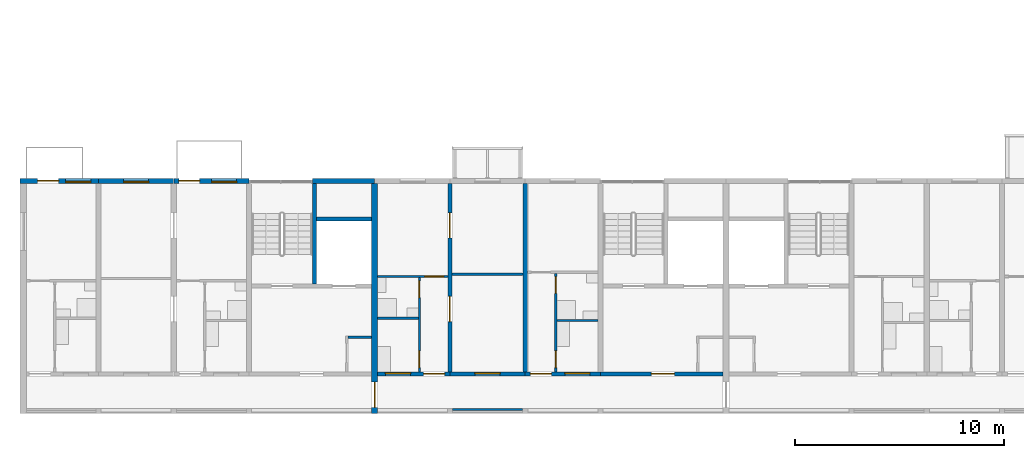
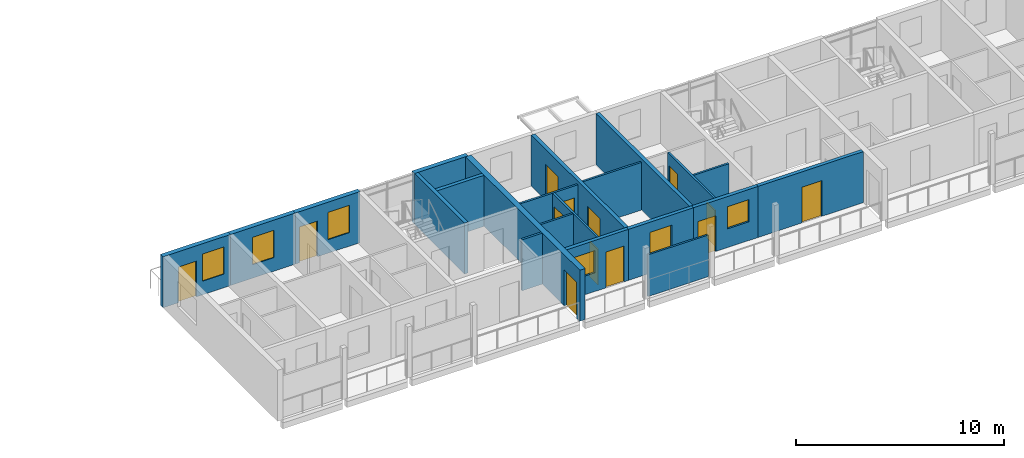
# One storey, part 31 of 98: 21 walls, 13 doors, 6 windows, 19 openings.
"""IFC4 building model written with IfcOpenShell, lengths in metres."""

import ifcopenshell
import ifcopenshell.guid

model = None  # the IFC model being written
_history = None  # IfcOwnerHistory: only IFC2X3 demands one
_inside = {}  # id of a spatial element -> (the spatial element, [elements in it])
_under = {}  # id of a project, library or spatial element -> (it, [spatial elements below it])
_declared = {}  # id of a project -> (the project, [libraries it declares])
_typed = {}  # id of a type object -> (the type object, [elements of that type])
_made_of = {}  # id of a material, layer set ... -> (it, [elements and type objects made of it])


def new_model(schema):
    """Start an empty IFC model of exactly this schema.

    Asked for "IFC4X3", IfcOpenShell would pick the latest addendum, in which some entities
    have other attributes; the version numbers below select the first issue.
    IFC2X3 requires an IfcOwnerHistory on every rooted entity: one is made here for all.
    """
    global model, _history
    if schema == "IFC4X3":
        model = ifcopenshell.file(schema_version=(4, 3, 0, 0))
    else:
        model = ifcopenshell.file(schema=schema)
    _inside.clear()
    _under.clear()
    _declared.clear()
    _typed.clear()
    _made_of.clear()
    _history = None
    if model.schema == "IFC2X3":
        org = make("IfcOrganization", Name="unknown")
        user = make(
            "IfcPersonAndOrganization",
            ThePerson=make("IfcPerson", FamilyName="unknown"),
            TheOrganization=org,
        )
        app = make(
            "IfcApplication",
            ApplicationDeveloper=org,
            Version="unknown",
            ApplicationFullName="unknown",
            ApplicationIdentifier="unknown",
        )
        _history = make(
            "IfcOwnerHistory",
            OwningUser=user,
            OwningApplication=app,
            ChangeAction="ADDED",
            CreationDate=0,
        )
    return model


def make(cls, **values):
    """One entity of the class cls with the attributes given. An attribute that is None is left unset."""
    return model.create_entity(
        cls, **{name: value for name, value in values.items() if value is not None}
    )


def rooted(cls, **values):
    """An entity with a GlobalId (a new one), such as an element, a storey or a relation."""
    return make(cls, GlobalId=ifcopenshell.guid.new(), OwnerHistory=_history, **values)


def si_unit(unit_type, name, prefix=None):
    """IfcSIUnit, for example si_unit("LENGTHUNIT", "METRE", prefix="MILLI")."""
    return make("IfcSIUnit", UnitType=unit_type, Prefix=prefix, Name=name)


def assignment(units):
    """IfcUnitAssignment: the units of a project."""
    return None if units is None else make("IfcUnitAssignment", Units=units)


def point(xyz):
    """IfcCartesianPoint."""
    return None if xyz is None else make("IfcCartesianPoint", Coordinates=xyz)


def direction(xyz):
    """IfcDirection."""
    return None if xyz is None else make("IfcDirection", DirectionRatios=xyz)


def frame(location, z_axis=None, x_axis=None):
    """IfcAxis2Placement3D, a coordinate frame: its origin and axes. An axis left out is left unset."""
    return make(
        "IfcAxis2Placement3D",
        Location=point(location),
        Axis=direction(z_axis),
        RefDirection=direction(x_axis),
    )


def frame_2d(location, x_axis=None):
    """IfcAxis2Placement2D, a coordinate frame in the plane: its origin and x axis."""
    return make(
        "IfcAxis2Placement2D", Location=point(location), RefDirection=direction(x_axis)
    )


def origin():
    """The frame at (0, 0, 0) with its axes left unset."""
    return frame((0.0, 0.0, 0.0))


def place(relative_to, where):
    """IfcLocalPlacement: puts the frame where relative to a parent placement (None: the world)."""
    return make(
        "IfcLocalPlacement", PlacementRelTo=relative_to, RelativePlacement=where
    )


def context(
    kind, dimensions, precision=None, world=None, true_north=None, identifier=None
):
    """IfcGeometricRepresentationContext, for example the 3D "Model" context."""
    return make(
        "IfcGeometricRepresentationContext",
        ContextIdentifier=identifier,
        ContextType=kind,
        CoordinateSpaceDimension=dimensions,
        Precision=precision,
        WorldCoordinateSystem=world,
        TrueNorth=true_north,
    )


def subcontext(parent, identifier, kind, view, scale=None):
    """IfcGeometricRepresentationSubContext, for example "Body" below "Model"."""
    return make(
        "IfcGeometricRepresentationSubContext",
        ContextIdentifier=identifier,
        ContextType=kind,
        ParentContext=parent,
        TargetScale=scale,
        TargetView=view,
    )


def project(units=None, contexts=None):
    """IfcProject with its units and contexts."""
    return rooted(
        "IfcProject",
        Name="project",
        RepresentationContexts=contexts,
        UnitsInContext=assignment(units),
    )


def spatial(cls, under=None, at=None, **own):
    """A site, building, storey or space (cls), placed at a placement, below another one or the project."""
    s = rooted(cls, ObjectPlacement=at, **own)
    if under is not None:
        _under.setdefault(under.id(), (under, []))[1].append(s)
    return s


def profile(cls, at=None, kind="AREA", **sizes):
    """A parametric profile (cls). Its sizes go by their IFC names, for example OverallWidth=200.0."""
    return make(cls, ProfileType=kind, Position=at, **sizes)


def rectangle(**sizes):
    """IfcRectangleProfileDef."""
    return profile("IfcRectangleProfileDef", **sizes)


def extrude(swept, where, along, depth):
    """IfcExtrudedAreaSolid: the profile swept, set in the frame where, extruded along a direction by depth."""
    return make(
        "IfcExtrudedAreaSolid",
        SweptArea=swept,
        Position=where,
        ExtrudedDirection=direction(along),
        Depth=depth,
    )


def shape(context_of_items, identifier, shape_type, items):
    """IfcShapeRepresentation: the items that make up one representation, for example the "Body"."""
    return make(
        "IfcShapeRepresentation",
        ContextOfItems=context_of_items,
        RepresentationIdentifier=identifier,
        RepresentationType=shape_type,
        Items=items,
    )


def material(Name=None, Category=None):
    """IfcMaterial."""
    return make("IfcMaterial", Name=Name, Category=Category)


def layer(
    of_material, thickness, ventilated=None, Name=None, Category=None, Priority=None
):
    """IfcMaterialLayer: one layer of a wall or slab, of a material (None: an air gap)."""
    return make(
        "IfcMaterialLayer",
        Material=of_material,
        LayerThickness=thickness,
        IsVentilated=ventilated,
        Name=Name,
        Category=Category,
        Priority=Priority,
    )


def layer_set(layers, Name=None):
    """IfcMaterialLayerSet."""
    return make("IfcMaterialLayerSet", MaterialLayers=layers, LayerSetName=Name)


def made_of(thing, what):
    """Note that an element or type object is made of a material, layer set ...; save() writes the relation."""
    if what is not None:
        _made_of.setdefault(what.id(), (what, []))[1].append(thing)
    return thing


def type_object(cls, material=None, **own):
    """A type object (cls), such as IfcWallType, which elements share."""
    return made_of(rooted(cls, **own), material)


def element(
    cls,
    number,
    at=None,
    inside=None,
    cuts=None,
    type_object=None,
    material=None,
    context=None,
    identifier="Body",
    shape_type=None,
    held_by="IfcProductDefinitionShape",
    body=None,
    shapes=None,
    **own,
):
    """One element of the class cls, such as IfcWall. Its Tag is "e" and its number.

    at: its placement. inside: the storey or other place that contains it. cuts: it is an
    opening in that element (IfcRelVoidsElement). A single representation is given by context,
    identifier, shape_type and body (its items); several are given by shapes. held_by: the class
    of the entity that holds the representations. save() writes the other relations.
    """
    e = rooted(cls, Tag="e%d" % number, ObjectPlacement=at, **own)
    if body is not None:
        shapes = [shape(context, identifier, shape_type, body)]
    if shapes is not None:
        e.Representation = make(held_by, Representations=shapes)
    if inside is not None:
        _inside.setdefault(inside.id(), (inside, []))[1].append(e)
    if cuts is not None:
        rooted(
            "IfcRelVoidsElement", RelatingBuildingElement=cuts, RelatedOpeningElement=e
        )
    if type_object is not None:
        _typed.setdefault(type_object.id(), (type_object, []))[1].append(e)
    return made_of(e, material)


def fill(opening, filler):
    """IfcRelFillsElement: the door or window that sits in an opening."""
    return rooted(
        "IfcRelFillsElement",
        RelatingOpeningElement=opening,
        RelatedBuildingElement=filler,
    )


def aggregate(whole, parts):
    """IfcRelAggregates: a whole, such as a stair, and the parts it consists of."""
    return rooted("IfcRelAggregates", RelatingObject=whole, RelatedObjects=parts)


def save(model, path):
    """Write the relations noted so far, then the file.

    IfcRelAggregates (storeys below a building ...), IfcRelContainedInSpatialStructure (elements
    in a storey), IfcRelDefinesByType, IfcRelAssociatesMaterial and IfcRelDeclares: one each for
    every whole, place, type object, material and project.
    """
    for whole, parts in _under.values():
        aggregate(whole, parts)
    for where, things in _inside.values():
        rooted(
            "IfcRelContainedInSpatialStructure",
            RelatedElements=things,
            RelatingStructure=where,
        )
    for kind, things in _typed.values():
        rooted("IfcRelDefinesByType", RelatedObjects=things, RelatingType=kind)
    for what, things in _made_of.values():
        rooted("IfcRelAssociatesMaterial", RelatedObjects=things, RelatingMaterial=what)
    for by, libraries in _declared.values():
        rooted("IfcRelDeclares", RelatingContext=by, RelatedDefinitions=libraries)
    model.write(path)


model = new_model("IFC4")

# Units and contexts
model_context = context("Model", 3, precision=1e-05, world=origin(), true_north=direction((0.0, 1.0)))
body_context = subcontext(model_context, "Body", "Model", "MODEL_VIEW")
ifc_project = project(units=[si_unit("LENGTHUNIT", "METRE"), si_unit("AREAUNIT", "SQUARE_METRE"), si_unit("VOLUMEUNIT", "CUBIC_METRE"), si_unit("PLANEANGLEUNIT", "RADIAN"), si_unit("MASSUNIT", "GRAM", prefix="KILO")], contexts=[model_context])

# Site, building, storey
site_placement = place(None, origin())
site = spatial("IfcSite", under=ifc_project, at=site_placement, CompositionType="ELEMENT")
building_placement = place(site_placement, origin())
building = spatial("IfcBuilding", under=site, at=building_placement, Name="Ridgestep Commons", CompositionType="ELEMENT")
storey_placement = place(building_placement, frame((0.0, 0.0, 12.0)))
storey = spatial("IfcBuildingStorey", under=building, at=storey_placement, Name="L04", CompositionType="ELEMENT", Elevation=12.0)

# Wall, opening, door
ifc_material_1 = material(Name="Concrete C30/37", Category="concrete")
ifc_layer_1 = layer(ifc_material_1, 0.199951171875)
ifc_layer_set_1 = layer_set([ifc_layer_1], Name="Core south wall 200")
wall_type_1 = type_object("IfcWallType", Name="Core south wall 200", PredefinedType="SHEAR", material=ifc_layer_set_1)
wall_1_placement = place(storey_placement, frame((39.60009765625, 13.64990234375, 0.0), z_axis=(0.0, 0.0, 1.0), x_axis=(1.0, 0.0, 0.0)))
wall_1 = element("IfcWall", 1, at=wall_1_placement, inside=storey, type_object=wall_type_1, Name="Core south wall A2C L04", PredefinedType="SHEAR", context=body_context, shape_type="SweptSolid", body=[
    extrude(rectangle(XDim=5.849853515625, YDim=0.199951171875, at=frame_2d((2.9248046875, 0.0))), origin(), (0.0, 0.0, 1.0), 3.0),
])
opening_1_placement = place(wall_1_placement, frame((2.4375, 0.0, 0.0)))
opening_1 = element("IfcOpeningElement", 2, at=opening_1_placement, cuts=wall_1, Name="Opening A2C/04/1", PredefinedType="OPENING", context=body_context, shape_type="SweptSolid", body=[
    extrude(rectangle(XDim=1.10009765625, YDim=2.10009765625, at=frame_2d((0.550048828125, 1.050048828125))), frame((0.0, 0.10986328125, 0.0), z_axis=(0.0, -1.0, 0.0), x_axis=(1.0, 0.0, 0.0)), (0.0, 0.0, 1.0), 0.219970703125),
])
ifc_material_2 = material(Name="Steel fire door", Category="steel")
door_type_1 = type_object("IfcDoorType", Name="Lobby door 1100 x 2100 FD60", OperationType="NOTDEFINED", PredefinedType="DOOR", material=ifc_material_2)
door_1_placement = place(opening_1_placement, origin())
door_1 = element("IfcDoor", 3, at=door_1_placement, inside=storey, type_object=door_type_1, Name="Lobby door A2C/04/1", OperationType="SINGLE_SWING_LEFT", OverallHeight=2.10009765625, OverallWidth=1.10009765625, PredefinedType="DOOR", context=body_context, shape_type="SweptSolid", body=[
    extrude(rectangle(XDim=1.10009765625, YDim=2.10009765625, at=frame_2d((0.550048828125, 1.050048828125))), frame((0.0, 0.02490234375, 0.0), z_axis=(0.0, -1.0, 0.0), x_axis=(1.0, 0.0, 0.0)), (0.0, 0.0, 1.0), 0.050048828125),
])
fill(opening_1, door_1)

# Walls
ifc_material_3 = material(Name="Concrete C30/37", Category="concrete")
ifc_layer_2 = layer(ifc_material_3, 0.1201171875)
ifc_layer_set_2 = layer_set([ifc_layer_2], Name="Core wall 120")
wall_type_2 = type_object("IfcWallType", Name="Core wall 120", PredefinedType="SHEAR", material=ifc_layer_set_2)
wall_2_placement = place(storey_placement, frame((27.52001953125, 15.409912109375, 0.0), z_axis=(0.0, 0.0, 1.0), x_axis=(1.0, 0.0, 0.0)))
element("IfcWall", 4, at=wall_2_placement, inside=storey, type_object=wall_type_2, Name="Core riser n wall A1C L04", PredefinedType="SHEAR", context=body_context, shape_type="SweptSolid", body=[
    extrude(rectangle(XDim=1.1298828125, YDim=0.1201171875, at=frame_2d((0.56494140625, 0.0))), origin(), (0.0, 0.0, 1.0), 3.0),
])
ifc_material_4 = material(Name="Concrete C30/37", Category="concrete")
ifc_layer_3 = layer(ifc_material_4, 0.199951171875)
ifc_layer_set_3 = layer_set([ifc_layer_3], Name="Core wall 200")
wall_type_3 = type_object("IfcWallType", Name="Core wall 200", PredefinedType="SHEAR", material=ifc_layer_set_3)
wall_3_placement = place(storey_placement, frame((25.925048828125, 17.949951171875, 0.0), z_axis=(0.0, 0.0, 1.0), x_axis=(0.0, 1.0, 0.0)))
element("IfcWall", 5, at=wall_3_placement, inside=storey, type_object=wall_type_3, Name="Core stair wall A1C L04", PredefinedType="SHEAR", context=body_context, shape_type="SweptSolid", body=[
    extrude(rectangle(XDim=4.800048828125, YDim=0.199951171875, at=frame_2d((2.39990234375, 0.0))), origin(), (0.0, 0.0, 1.0), 3.0),
])
wall_4_placement = place(storey_placement, frame((26.02490234375, 21.050048828125, 0.0), z_axis=(0.0, 0.0, 1.0), x_axis=(1.0, 0.0, 0.0)))
element("IfcWall", 6, at=wall_4_placement, inside=storey, type_object=wall_type_3, Name="Core duct wall A1C L04", PredefinedType="SHEAR", context=body_context, shape_type="SweptSolid", body=[
    extrude(rectangle(XDim=2.625, YDim=0.199951171875, at=frame_2d((1.3125, 0.0))), origin(), (0.0, 0.0, 1.0), 3.0),
])

# Wall, openings, doors
ifc_material_5 = material(Name="Precast concrete C40/50", Category="concrete")
ifc_layer_4 = layer(ifc_material_5, 0.199951171875)
ifc_layer_set_4 = layer_set([ifc_layer_4], Name="Cross wall 200")
wall_type_4 = type_object("IfcWallType", Name="Cross wall 200", PredefinedType="SHEAR", material=ifc_layer_set_4)
wall_5_placement = place(storey_placement, frame((32.39990234375, 13.75, 0.0), z_axis=(0.0, 0.0, 1.0), x_axis=(0.0, 1.0, 0.0)))
wall_5 = element("IfcWall", 7, at=wall_5_placement, inside=storey, type_object=wall_type_4, Name="Cross wall A-04-0324", PredefinedType="SHEAR", context=body_context, shape_type="SweptSolid", body=[
    extrude(rectangle(XDim=9.0, YDim=0.199951171875, at=frame_2d((4.5, 0.0))), origin(), (0.0, 0.0, 1.0), 3.0),
])
opening_2_placement = place(wall_5_placement, frame((2.39990234375, 0.0, 0.0)))
opening_2 = element("IfcOpeningElement", 8, at=opening_2_placement, cuts=wall_5, Name="Opening A2-04a/5", PredefinedType="OPENING", context=body_context, shape_type="SweptSolid", body=[
    extrude(rectangle(XDim=1.199951171875, YDim=2.10009765625, at=frame_2d((0.60009765625, 1.050048828125))), frame((0.0, 0.10986328125, 0.0), z_axis=(0.0, -1.0, 0.0), x_axis=(1.0, 0.0, 0.0)), (0.0, 0.0, 1.0), 0.219970703125),
])
opening_3_placement = place(wall_5_placement, frame((6.39990234375, 0.0, 0.0)))
opening_3 = element("IfcOpeningElement", 9, at=opening_3_placement, cuts=wall_5, Name="Opening A2-04a/6", PredefinedType="OPENING", context=body_context, shape_type="SweptSolid", body=[
    extrude(rectangle(XDim=1.199951171875, YDim=2.10009765625, at=frame_2d((0.60009765625, 1.050048828125))), frame((0.0, 0.10986328125, 0.0), z_axis=(0.0, -1.0, 0.0), x_axis=(1.0, 0.0, 0.0)), (0.0, 0.0, 1.0), 0.219970703125),
])
ifc_material_6 = material(Name="Timber door leaf", Category="wood")
door_type_2 = type_object("IfcDoorType", Name="Double door 1200 x 2100", OperationType="DOUBLE_DOOR_SINGLE_SWING", PredefinedType="DOOR", material=ifc_material_6)
door_2_placement = place(opening_2_placement, origin())
door_2 = element("IfcDoor", 10, at=door_2_placement, inside=storey, type_object=door_type_2, Name="Double door A2-04a/5", OperationType="DOUBLE_DOOR_SINGLE_SWING", OverallHeight=2.10009765625, OverallWidth=1.199951171875, PredefinedType="DOOR", context=body_context, shape_type="SweptSolid", body=[
    extrude(rectangle(XDim=1.199951171875, YDim=2.10009765625, at=frame_2d((0.60009765625, 1.050048828125))), frame((0.0, 0.02490234375, 0.0), z_axis=(0.0, -1.0, 0.0), x_axis=(1.0, 0.0, 0.0)), (0.0, 0.0, 1.0), 0.050048828125),
])
fill(opening_2, door_2)
door_3_placement = place(opening_3_placement, origin())
door_3 = element("IfcDoor", 11, at=door_3_placement, inside=storey, type_object=door_type_2, Name="Double door A2-04a/6", OperationType="DOUBLE_DOOR_SINGLE_SWING", OverallHeight=2.10009765625, OverallWidth=1.199951171875, PredefinedType="DOOR", context=body_context, shape_type="SweptSolid", body=[
    extrude(rectangle(XDim=1.199951171875, YDim=2.10009765625, at=frame_2d((0.60009765625, 1.050048828125))), frame((0.0, 0.02490234375, 0.0), z_axis=(0.0, -1.0, 0.0), x_axis=(1.0, 0.0, 0.0)), (0.0, 0.0, 1.0), 0.050048828125),
])
fill(opening_3, door_3)

# Wall
wall_6_placement = place(storey_placement, frame((36.0, 13.75, 0.0), z_axis=(0.0, 0.0, 1.0), x_axis=(0.0, 1.0, 0.0)))
element("IfcWall", 12, at=wall_6_placement, inside=storey, type_object=wall_type_4, Name="Cross wall A-04-0360", PredefinedType="SHEAR", context=body_context, shape_type="SweptSolid", body=[
    extrude(rectangle(XDim=9.0, YDim=0.199951171875, at=frame_2d((4.5, 0.0))), origin(), (0.0, 0.0, 1.0), 3.0),
])

# Wall, opening, door
ifc_material_7 = material(Name="Precast concrete C40/50", Category="concrete")
ifc_layer_5 = layer(ifc_material_7, 0.300048828125)
ifc_layer_set_5 = layer_set([ifc_layer_5], Name="Division wall 300")
wall_type_5 = type_object("IfcWallType", Name="Division wall 300", PredefinedType="SHEAR", material=ifc_layer_set_5)
wall_7_placement = place(storey_placement, frame((28.800048828125, 11.75, 0.0), z_axis=(0.0, 0.0, 1.0), x_axis=(0.0, 1.0, 0.0)))
wall_7 = element("IfcWall", 13, at=wall_7_placement, inside=storey, type_object=wall_type_5, Name="Cross wall A-04-0288", PredefinedType="SHEAR", context=body_context, shape_type="SweptSolid", body=[
    extrude(rectangle(XDim=11.0, YDim=0.300048828125, at=frame_2d((5.5, 0.0))), origin(), (0.0, 0.0, 1.0), 3.0),
])
opening_4_placement = place(wall_7_placement, frame((0.300048828125, 0.0, 0.0)))
opening_4 = element("IfcOpeningElement", 14, at=opening_4_placement, cuts=wall_7, Name="Opening A/04/G0288", PredefinedType="OPENING", context=body_context, shape_type="SweptSolid", body=[
    extrude(rectangle(XDim=1.199951171875, YDim=2.10009765625, at=frame_2d((0.60009765625, 1.050048828125))), frame((0.0, 0.159912109375, 0.0), z_axis=(0.0, -1.0, 0.0), x_axis=(1.0, 0.0, 0.0)), (0.0, 0.0, 1.0), 0.320068359375),
])
ifc_material_8 = material(Name="Steel fire door", Category="steel")
door_type_3 = type_object("IfcDoorType", Name="Division fire door 1200 x 2100 EI 240", OperationType="DOUBLE_DOOR_SINGLE_SWING", PredefinedType="DOOR", material=ifc_material_8)
door_4_placement = place(opening_4_placement, origin())
door_4 = element("IfcDoor", 15, at=door_4_placement, inside=storey, type_object=door_type_3, Name="Division fire door A/04/G0288", OperationType="DOUBLE_DOOR_SINGLE_SWING", OverallHeight=2.10009765625, OverallWidth=1.199951171875, PredefinedType="DOOR", context=body_context, shape_type="SweptSolid", body=[
    extrude(rectangle(XDim=1.199951171875, YDim=2.10009765625, at=frame_2d((0.60009765625, 1.050048828125))), frame((0.0, 0.02490234375, 0.0), z_axis=(0.0, -1.0, 0.0), x_axis=(1.0, 0.0, 0.0)), (0.0, 0.0, 1.0), 0.050048828125),
])
fill(opening_4, door_4)

# Wall, openings, door, window
ifc_material_9 = material(Name="Precast concrete C40/50", Category="concrete")
ifc_layer_6 = layer(ifc_material_9, 0.25)
ifc_layer_set_6 = layer_set([ifc_layer_6], Name="North facade panel 250")
wall_type_6 = type_object("IfcWallType", Name="North facade panel 250", PredefinedType="SOLIDWALL", material=ifc_layer_set_6)
wall_8_placement = place(storey_placement, frame((11.85009765625, 22.875, 0.0), z_axis=(0.0, 0.0, 1.0), x_axis=(1.0, 0.0, 0.0)))
wall_8 = element("IfcWall", 16, at=wall_8_placement, inside=storey, type_object=wall_type_6, Name="North panel A1T1 L04", PredefinedType="SOLIDWALL", context=body_context, shape_type="SweptSolid", body=[
    extrude(rectangle(XDim=3.75, YDim=0.25, at=frame_2d((1.875, 0.0))), origin(), (0.0, 0.0, 1.0), 3.0),
])
opening_5_placement = place(wall_8_placement, frame((2.185546875, 0.0, 0.800048828125)))
opening_5 = element("IfcOpeningElement", 17, at=opening_5_placement, cuts=wall_8, Name="Opening W11", PredefinedType="OPENING", context=body_context, shape_type="SweptSolid", body=[
    extrude(rectangle(XDim=1.199951171875, YDim=1.60009765625, at=frame_2d((0.60009765625, 0.800048828125))), frame((0.0, 0.135009765625, 0.0), z_axis=(0.0, -1.0, 0.0), x_axis=(1.0, 0.0, 0.0)), (0.0, 0.0, 1.0), 0.27001953125),
])
opening_6_placement = place(wall_8_placement, frame((0.845947265625, 0.0, 0.0)))
opening_6 = element("IfcOpeningElement", 18, at=opening_6_placement, cuts=wall_8, Name="Opening A1-04a/5", PredefinedType="OPENING", context=body_context, shape_type="SweptSolid", body=[
    extrude(rectangle(XDim=1.0, YDim=2.10009765625, at=frame_2d((0.5, 1.050048828125))), frame((0.0, 0.135009765625, 0.0), z_axis=(0.0, -1.0, 0.0), x_axis=(1.0, 0.0, 0.0)), (0.0, 0.0, 1.0), 0.27001953125),
])
ifc_material_10 = material(Name="Aluminium and glass", Category="aluminium")
door_type_4 = type_object("IfcDoorType", Name="Balcony door 1000 x 2100", OperationType="NOTDEFINED", PredefinedType="DOOR", material=ifc_material_10)
door_5_placement = place(opening_6_placement, origin())
door_5 = element("IfcDoor", 19, at=door_5_placement, inside=storey, type_object=door_type_4, Name="Balcony door A1-04a/5", OperationType="SINGLE_SWING_RIGHT", OverallHeight=2.10009765625, OverallWidth=1.0, PredefinedType="DOOR", context=body_context, shape_type="SweptSolid", body=[
    extrude(rectangle(XDim=1.0, YDim=2.10009765625, at=frame_2d((0.5, 1.050048828125))), frame((0.0, 0.02490234375, 0.0), z_axis=(0.0, -1.0, 0.0), x_axis=(1.0, 0.0, 0.0)), (0.0, 0.0, 1.0), 0.050048828125),
])
fill(opening_6, door_5)
ifc_material_11 = material(Name="Aluminium 6063-T6 and glass", Category="aluminium")
window_type_1 = type_object("IfcWindowType", Name="Flat window 1200 x 1600", PartitioningType="SINGLE_PANEL", PredefinedType="WINDOW", material=ifc_material_11)
window_1_placement = place(opening_5_placement, origin())
window_1 = element("IfcWindow", 20, at=window_1_placement, inside=storey, type_object=window_type_1, Name="Window A1-04a 2", OverallHeight=1.60009765625, OverallWidth=1.199951171875, PartitioningType="SINGLE_PANEL", PredefinedType="WINDOW", context=body_context, shape_type="SweptSolid", body=[
    extrude(rectangle(XDim=1.199951171875, YDim=1.60009765625, at=frame_2d((0.60009765625, 0.800048828125))), frame((0.0, -0.02490234375, 0.0), z_axis=(0.0, -1.0, 0.0), x_axis=(1.0, 0.0, 0.0)), (0.0, 0.0, 1.0), 0.06005859375),
])
fill(opening_5, window_1)

# Wall, opening, window
wall_9_placement = place(storey_placement, frame((15.60009765625, 22.875, 0.0), z_axis=(0.0, 0.0, 1.0), x_axis=(1.0, 0.0, 0.0)))
wall_9 = element("IfcWall", 21, at=wall_9_placement, inside=storey, type_object=wall_type_6, Name="North panel A1T2 L04", PredefinedType="SOLIDWALL", context=body_context, shape_type="SweptSolid", body=[
    extrude(rectangle(XDim=3.599853515625, YDim=0.25, at=frame_2d((1.7998046875, 0.0))), origin(), (0.0, 0.0, 1.0), 3.0),
])
opening_7_placement = place(wall_9_placement, frame((1.199951171875, 0.0, 0.800048828125)))
opening_7 = element("IfcOpeningElement", 22, at=opening_7_placement, cuts=wall_9, Name="Opening W11", PredefinedType="OPENING", context=body_context, shape_type="SweptSolid", body=[
    extrude(rectangle(XDim=1.199951171875, YDim=1.60009765625, at=frame_2d((0.60009765625, 0.800048828125))), frame((0.0, 0.135009765625, 0.0), z_axis=(0.0, -1.0, 0.0), x_axis=(1.0, 0.0, 0.0)), (0.0, 0.0, 1.0), 0.27001953125),
])
window_2_placement = place(opening_7_placement, origin())
window_2 = element("IfcWindow", 23, at=window_2_placement, inside=storey, type_object=window_type_1, Name="Window A1-04b 2", OverallHeight=1.60009765625, OverallWidth=1.199951171875, PartitioningType="SINGLE_PANEL", PredefinedType="WINDOW", context=body_context, shape_type="SweptSolid", body=[
    extrude(rectangle(XDim=1.199951171875, YDim=1.60009765625, at=frame_2d((0.60009765625, 0.800048828125))), frame((0.0, -0.02490234375, 0.0), z_axis=(0.0, -1.0, 0.0), x_axis=(1.0, 0.0, 0.0)), (0.0, 0.0, 1.0), 0.06005859375),
])
fill(opening_7, window_2)

# Wall, openings, door, window
wall_10_placement = place(storey_placement, frame((19.199951171875, 22.875, 0.0), z_axis=(0.0, 0.0, 1.0), x_axis=(1.0, 0.0, 0.0)))
wall_10 = element("IfcWall", 24, at=wall_10_placement, inside=storey, type_object=wall_type_6, Name="North panel A1T3 L04", PredefinedType="SOLIDWALL", context=body_context, shape_type="SweptSolid", body=[
    extrude(rectangle(XDim=3.60009765625, YDim=0.25, at=frame_2d((1.800048828125, 0.0))), origin(), (0.0, 0.0, 1.0), 3.0),
])
opening_8_placement = place(wall_10_placement, frame((1.806884765625, 0.0, 0.800048828125)))
opening_8 = element("IfcOpeningElement", 25, at=opening_8_placement, cuts=wall_10, Name="Opening W11", PredefinedType="OPENING", context=body_context, shape_type="SweptSolid", body=[
    extrude(rectangle(XDim=1.199951171875, YDim=1.60009765625, at=frame_2d((0.60009765625, 0.800048828125))), frame((0.0, 0.135009765625, 0.0), z_axis=(0.0, -1.0, 0.0), x_axis=(1.0, 0.0, 0.0)), (0.0, 0.0, 1.0), 0.27001953125),
])
opening_9_placement = place(wall_10_placement, frame((0.239013671875, 0.0, 0.0)))
opening_9 = element("IfcOpeningElement", 26, at=opening_9_placement, cuts=wall_10, Name="Opening A1-04b/7", PredefinedType="OPENING", context=body_context, shape_type="SweptSolid", body=[
    extrude(rectangle(XDim=1.0, YDim=2.10009765625, at=frame_2d((0.5, 1.050048828125))), frame((0.0, 0.135009765625, 0.0), z_axis=(0.0, -1.0, 0.0), x_axis=(1.0, 0.0, 0.0)), (0.0, 0.0, 1.0), 0.27001953125),
])
door_6_placement = place(opening_9_placement, origin())
door_6 = element("IfcDoor", 27, at=door_6_placement, inside=storey, type_object=door_type_4, Name="Balcony door A1-04b/7", OperationType="SINGLE_SWING_RIGHT", OverallHeight=2.10009765625, OverallWidth=1.0, PredefinedType="DOOR", context=body_context, shape_type="SweptSolid", body=[
    extrude(rectangle(XDim=1.0, YDim=2.10009765625, at=frame_2d((0.5, 1.050048828125))), frame((0.0, 0.02490234375, 0.0), z_axis=(0.0, -1.0, 0.0), x_axis=(1.0, 0.0, 0.0)), (0.0, 0.0, 1.0), 0.050048828125),
])
fill(opening_9, door_6)
window_3_placement = place(opening_8_placement, origin())
window_3 = element("IfcWindow", 28, at=window_3_placement, inside=storey, type_object=window_type_1, Name="Window A1-04b 4", OverallHeight=1.60009765625, OverallWidth=1.199951171875, PartitioningType="SINGLE_PANEL", PredefinedType="WINDOW", context=body_context, shape_type="SweptSolid", body=[
    extrude(rectangle(XDim=1.199951171875, YDim=1.60009765625, at=frame_2d((0.60009765625, 0.800048828125))), frame((0.0, -0.02490234375, 0.0), z_axis=(0.0, -1.0, 0.0), x_axis=(1.0, 0.0, 0.0)), (0.0, 0.0, 1.0), 0.06005859375),
])
fill(opening_8, window_3)

# Walls
wall_11_placement = place(storey_placement, frame((25.824951171875, 22.875, 0.0), z_axis=(0.0, 0.0, 1.0), x_axis=(1.0, 0.0, 0.0)))
element("IfcWall", 29, at=wall_11_placement, inside=storey, type_object=wall_type_6, Name="North panel A1C L04", PredefinedType="SOLIDWALL", context=body_context, shape_type="SweptSolid", body=[
    extrude(rectangle(XDim=2.97509765625, YDim=0.25, at=frame_2d((1.487548828125, 0.0))), origin(), (0.0, 0.0, 1.0), 3.0),
])
ifc_material_12 = material(Name="Common brick 110 mm", Category="masonry")
ifc_layer_7 = layer(ifc_material_12, 0.110107421875)
ifc_layer_set_7 = layer_set([ifc_layer_7], Name="Partition 110")
wall_type_7 = type_object("IfcWallType", Name="Partition 110", PredefinedType="PARTITIONING", material=ifc_layer_set_7)
wall_12_placement = place(storey_placement, frame((28.949951171875, 16.304931640625, 0.0), z_axis=(0.0, 0.0, 1.0), x_axis=(1.0, 0.0, 0.0)))
element("IfcWall", 30, at=wall_12_placement, inside=storey, type_object=wall_type_7, Name="Partition A2-04a", PredefinedType="PARTITIONING", context=body_context, shape_type="SweptSolid", body=[
    extrude(rectangle(XDim=1.93994140625, YDim=0.110107421875, at=frame_2d((0.969970703125, 0.0))), origin(), (0.0, 0.0, 1.0), 2.800048828125),
])

# Wall, openings, doors
wall_13_placement = place(storey_placement, frame((30.945068359375, 13.75, 0.0), z_axis=(0.0, 0.0, 1.0), x_axis=(0.0, 1.0, 0.0)))
wall_13 = element("IfcWall", 31, at=wall_13_placement, inside=storey, type_object=wall_type_7, Name="Partition A2-04a", PredefinedType="PARTITIONING", context=body_context, shape_type="SweptSolid", body=[
    extrude(rectangle(XDim=4.5, YDim=0.110107421875, at=frame_2d((2.25, 0.0))), origin(), (0.0, 0.0, 1.0), 2.800048828125),
])
opening_10_placement = place(wall_13_placement, frame((0.199951171875, 0.0, 0.0)))
opening_10 = element("IfcOpeningElement", 32, at=opening_10_placement, cuts=wall_13, Name="Opening A2-04a/2", PredefinedType="OPENING", context=body_context, shape_type="SweptSolid", body=[
    extrude(rectangle(XDim=0.800048828125, YDim=2.10009765625, at=frame_2d((0.39990234375, 1.050048828125))), frame((0.0, 0.06494140625, 0.0), z_axis=(0.0, -1.0, 0.0), x_axis=(1.0, 0.0, 0.0)), (0.0, 0.0, 1.0), 0.130126953125),
])
opening_11_placement = place(wall_13_placement, frame((3.550048828125, 0.0, 0.0)))
opening_11 = element("IfcOpeningElement", 33, at=opening_11_placement, cuts=wall_13, Name="Opening A2-04a/3", PredefinedType="OPENING", context=body_context, shape_type="SweptSolid", body=[
    extrude(rectangle(XDim=0.800048828125, YDim=2.10009765625, at=frame_2d((0.39990234375, 1.050048828125))), frame((0.0, 0.06494140625, 0.0), z_axis=(0.0, -1.0, 0.0), x_axis=(1.0, 0.0, 0.0)), (0.0, 0.0, 1.0), 0.130126953125),
])
ifc_material_13 = material(Name="Timber door leaf", Category="wood")
door_type_5 = type_object("IfcDoorType", Name="Internal door 800 x 2100", OperationType="NOTDEFINED", PredefinedType="DOOR", material=ifc_material_13)
door_7_placement = place(opening_10_placement, origin())
door_7 = element("IfcDoor", 34, at=door_7_placement, inside=storey, type_object=door_type_5, Name="Internal door A2-04a/2", OperationType="SINGLE_SWING_LEFT", OverallHeight=2.10009765625, OverallWidth=0.800048828125, PredefinedType="DOOR", context=body_context, shape_type="SweptSolid", body=[
    extrude(rectangle(XDim=0.800048828125, YDim=2.10009765625, at=frame_2d((0.39990234375, 1.050048828125))), frame((0.0, 0.02490234375, 0.0), z_axis=(0.0, -1.0, 0.0), x_axis=(1.0, 0.0, 0.0)), (0.0, 0.0, 1.0), 0.050048828125),
])
fill(opening_10, door_7)
door_8_placement = place(opening_11_placement, origin())
door_8 = element("IfcDoor", 35, at=door_8_placement, inside=storey, type_object=door_type_5, Name="Internal door A2-04a/3", OperationType="SINGLE_SWING_RIGHT", OverallHeight=2.10009765625, OverallWidth=0.800048828125, PredefinedType="DOOR", context=body_context, shape_type="SweptSolid", body=[
    extrude(rectangle(XDim=0.800048828125, YDim=2.10009765625, at=frame_2d((0.39990234375, 1.050048828125))), frame((0.0, 0.02490234375, 0.0), z_axis=(0.0, -1.0, 0.0), x_axis=(1.0, 0.0, 0.0)), (0.0, 0.0, 1.0), 0.050048828125),
])
fill(opening_11, door_8)

# Wall, opening, door
wall_14_placement = place(storey_placement, frame((28.949951171875, 18.304931640625, 0.0), z_axis=(0.0, 0.0, 1.0), x_axis=(1.0, 0.0, 0.0)))
wall_14 = element("IfcWall", 36, at=wall_14_placement, inside=storey, type_object=wall_type_7, Name="Partition A2-04a", PredefinedType="PARTITIONING", context=body_context, shape_type="SweptSolid", body=[
    extrude(rectangle(XDim=3.35009765625, YDim=0.110107421875, at=frame_2d((1.675048828125, 0.0))), origin(), (0.0, 0.0, 1.0), 2.800048828125),
])
opening_12_placement = place(wall_14_placement, frame((2.25, 0.0, 0.0)))
opening_12 = element("IfcOpeningElement", 37, at=opening_12_placement, cuts=wall_14, Name="Opening A2-04a/4", PredefinedType="OPENING", context=body_context, shape_type="SweptSolid", body=[
    extrude(rectangle(XDim=0.89990234375, YDim=2.10009765625, at=frame_2d((0.449951171875, 1.050048828125))), frame((0.0, 0.06494140625, 0.0), z_axis=(0.0, -1.0, 0.0), x_axis=(1.0, 0.0, 0.0)), (0.0, 0.0, 1.0), 0.130126953125),
])
ifc_material_14 = material(Name="Timber door leaf", Category="wood")
door_type_6 = type_object("IfcDoorType", Name="Internal door 900 x 2100", OperationType="NOTDEFINED", PredefinedType="DOOR", material=ifc_material_14)
door_9_placement = place(opening_12_placement, origin())
door_9 = element("IfcDoor", 38, at=door_9_placement, inside=storey, type_object=door_type_6, Name="Internal door A2-04a/4", OperationType="SINGLE_SWING_RIGHT", OverallHeight=2.10009765625, OverallWidth=0.89990234375, PredefinedType="DOOR", context=body_context, shape_type="SweptSolid", body=[
    extrude(rectangle(XDim=0.89990234375, YDim=2.10009765625, at=frame_2d((0.449951171875, 1.050048828125))), frame((0.0, 0.02490234375, 0.0), z_axis=(0.0, -1.0, 0.0), x_axis=(1.0, 0.0, 0.0)), (0.0, 0.0, 1.0), 0.050048828125),
])
fill(opening_12, door_9)

# Wall
wall_15_placement = place(storey_placement, frame((32.5, 18.405029296875, 0.0), z_axis=(0.0, 0.0, 1.0), x_axis=(1.0, 0.0, 0.0)))
element("IfcWall", 39, at=wall_15_placement, inside=storey, type_object=wall_type_7, Name="Partition A2-04a", PredefinedType="PARTITIONING", context=body_context, shape_type="SweptSolid", body=[
    extrude(rectangle(XDim=3.39990234375, YDim=0.110107421875, at=frame_2d((1.699951171875, 0.0))), origin(), (0.0, 0.0, 1.0), 2.800048828125),
])

# Wall, openings, doors
wall_16_placement = place(storey_placement, frame((37.455078125, 13.75, 0.0), z_axis=(0.0, 0.0, 1.0), x_axis=(0.0, 1.0, 0.0)))
wall_16 = element("IfcWall", 40, at=wall_16_placement, inside=storey, type_object=wall_type_7, Name="Partition A2-04b", PredefinedType="PARTITIONING", context=body_context, shape_type="SweptSolid", body=[
    extrude(rectangle(XDim=4.699951171875, YDim=0.110107421875, at=frame_2d((2.35009765625, 0.0))), origin(), (0.0, 0.0, 1.0), 2.800048828125),
])
opening_13_placement = place(wall_16_placement, frame((0.199951171875, 0.0, 0.0)))
opening_13 = element("IfcOpeningElement", 41, at=opening_13_placement, cuts=wall_16, Name="Opening A2-04b/2", PredefinedType="OPENING", context=body_context, shape_type="SweptSolid", body=[
    extrude(rectangle(XDim=0.800048828125, YDim=2.10009765625, at=frame_2d((0.39990234375, 1.050048828125))), frame((0.0, 0.06494140625, 0.0), z_axis=(0.0, -1.0, 0.0), x_axis=(1.0, 0.0, 0.0)), (0.0, 0.0, 1.0), 0.130126953125),
])
opening_14_placement = place(wall_16_placement, frame((3.75, 0.0, 0.0)))
opening_14 = element("IfcOpeningElement", 42, at=opening_14_placement, cuts=wall_16, Name="Opening A2-04b/3", PredefinedType="OPENING", context=body_context, shape_type="SweptSolid", body=[
    extrude(rectangle(XDim=0.800048828125, YDim=2.10009765625, at=frame_2d((0.39990234375, 1.050048828125))), frame((0.0, 0.06494140625, 0.0), z_axis=(0.0, -1.0, 0.0), x_axis=(1.0, 0.0, 0.0)), (0.0, 0.0, 1.0), 0.130126953125),
])
door_10_placement = place(opening_13_placement, origin())
door_10 = element("IfcDoor", 43, at=door_10_placement, inside=storey, type_object=door_type_5, Name="Internal door A2-04b/2", OperationType="SINGLE_SWING_RIGHT", OverallHeight=2.10009765625, OverallWidth=0.800048828125, PredefinedType="DOOR", context=body_context, shape_type="SweptSolid", body=[
    extrude(rectangle(XDim=0.800048828125, YDim=2.10009765625, at=frame_2d((0.39990234375, 1.050048828125))), frame((0.0, 0.02490234375, 0.0), z_axis=(0.0, -1.0, 0.0), x_axis=(1.0, 0.0, 0.0)), (0.0, 0.0, 1.0), 0.050048828125),
])
fill(opening_13, door_10)
door_11_placement = place(opening_14_placement, origin())
door_11 = element("IfcDoor", 44, at=door_11_placement, inside=storey, type_object=door_type_5, Name="Internal door A2-04b/3", OperationType="SINGLE_SWING_LEFT", OverallHeight=2.10009765625, OverallWidth=0.800048828125, PredefinedType="DOOR", context=body_context, shape_type="SweptSolid", body=[
    extrude(rectangle(XDim=0.800048828125, YDim=2.10009765625, at=frame_2d((0.39990234375, 1.050048828125))), frame((0.0, 0.02490234375, 0.0), z_axis=(0.0, -1.0, 0.0), x_axis=(1.0, 0.0, 0.0)), (0.0, 0.0, 1.0), 0.050048828125),
])
fill(opening_14, door_11)

# Walls
wall_17_placement = place(storey_placement, frame((37.510009765625, 16.205078125, 0.0), z_axis=(0.0, 0.0, 1.0), x_axis=(1.0, 0.0, 0.0)))
element("IfcWall", 45, at=wall_17_placement, inside=storey, type_object=wall_type_7, Name="Partition A2-04b", PredefinedType="PARTITIONING", context=body_context, shape_type="SweptSolid", body=[
    extrude(rectangle(XDim=1.965087890625, YDim=0.110107421875, at=frame_2d((0.982421875, 0.0))), origin(), (0.0, 0.0, 1.0), 2.800048828125),
])
ifc_material_15 = material(Name="Precast concrete C30/37", Category="concrete")
ifc_layer_8 = layer(ifc_material_15, 0.10009765625)
ifc_layer_set_8 = layer_set([ifc_layer_8], Name="Perforated gallery screen 3350 x 2450 x 100")
wall_type_8 = type_object("IfcWallType", Name="Perforated gallery screen 3350 x 2450 x 100", PredefinedType="SOLIDWALL", material=ifc_layer_set_8)
wall_18_placement = place(storey_placement, frame((32.52490234375, 11.949951171875, 0.0), z_axis=(0.0, 0.0, 1.0), x_axis=(1.0, 0.0, 0.0)))
element("IfcWall", 46, at=wall_18_placement, inside=storey, type_object=wall_type_8, Name="Gallery screen A2T2 04", PredefinedType="SOLIDWALL", context=body_context, shape_type="SweptSolid", body=[
    extrude(rectangle(XDim=3.35009765625, YDim=0.10009765625, at=frame_2d((1.675048828125, 0.0))), origin(), (0.0, 0.0, 1.0), 2.449951171875),
])

# Wall, openings, door, window
ifc_material_16 = material(Name="Precast concrete C40/50", Category="concrete")
ifc_layer_9 = layer(ifc_material_16, 0.199951171875)
ifc_layer_set_9 = layer_set([ifc_layer_9], Name="South facade panel 200")
wall_type_9 = type_object("IfcWallType", Name="South facade panel 200", PredefinedType="SOLIDWALL", material=ifc_layer_set_9)
wall_19_placement = place(storey_placement, frame((28.949951171875, 13.64990234375, 0.0), z_axis=(0.0, 0.0, 1.0), x_axis=(1.0, 0.0, 0.0)))
wall_19 = element("IfcWall", 47, at=wall_19_placement, inside=storey, type_object=wall_type_9, Name="South panel A2T1 L04", PredefinedType="SOLIDWALL", context=body_context, shape_type="SweptSolid", body=[
    extrude(rectangle(XDim=3.449951171875, YDim=0.199951171875, at=frame_2d((1.72509765625, 0.0))), origin(), (0.0, 0.0, 1.0), 3.0),
])
opening_15_placement = place(wall_19_placement, frame((0.3701171875, 0.0, 1.10009765625)))
opening_15 = element("IfcOpeningElement", 48, at=opening_15_placement, cuts=wall_19, Name="Opening W08", PredefinedType="OPENING", context=body_context, shape_type="SweptSolid", body=[
    extrude(rectangle(XDim=1.199951171875, YDim=1.300048828125, at=frame_2d((0.60009765625, 0.64990234375))), frame((0.0, 0.10986328125, 0.0), z_axis=(0.0, -1.0, 0.0), x_axis=(1.0, 0.0, 0.0)), (0.0, 0.0, 1.0), 0.219970703125),
])
opening_16_placement = place(wall_19_placement, frame((2.199951171875, 0.0, 0.0)))
opening_16 = element("IfcOpeningElement", 49, at=opening_16_placement, cuts=wall_19, Name="Opening A2-04a/1", PredefinedType="OPENING", context=body_context, shape_type="SweptSolid", body=[
    extrude(rectangle(XDim=1.0, YDim=2.10009765625, at=frame_2d((0.5, 1.050048828125))), frame((0.0, 0.10986328125, 0.0), z_axis=(0.0, -1.0, 0.0), x_axis=(1.0, 0.0, 0.0)), (0.0, 0.0, 1.0), 0.219970703125),
])
ifc_material_17 = material(Name="Timber door leaf", Category="wood")
door_type_7 = type_object("IfcDoorType", Name="Flat entrance door 1000 x 2100 FD30S", OperationType="NOTDEFINED", PredefinedType="DOOR", material=ifc_material_17)
door_12_placement = place(opening_16_placement, origin())
door_12 = element("IfcDoor", 50, at=door_12_placement, inside=storey, type_object=door_type_7, Name="Flat entrance door A2-04a/1", OperationType="SINGLE_SWING_RIGHT", OverallHeight=2.10009765625, OverallWidth=1.0, PredefinedType="DOOR", context=body_context, shape_type="SweptSolid", body=[
    extrude(rectangle(XDim=1.0, YDim=2.10009765625, at=frame_2d((0.5, 1.050048828125))), frame((0.0, 0.02490234375, 0.0), z_axis=(0.0, -1.0, 0.0), x_axis=(1.0, 0.0, 0.0)), (0.0, 0.0, 1.0), 0.050048828125),
])
fill(opening_16, door_12)
ifc_material_18 = material(Name="Aluminium 6063-T6 and glass", Category="aluminium")
window_type_2 = type_object("IfcWindowType", Name="Flat window 1200 x 1300", PartitioningType="SINGLE_PANEL", PredefinedType="WINDOW", material=ifc_material_18)
window_4_placement = place(opening_15_placement, origin())
window_4 = element("IfcWindow", 51, at=window_4_placement, inside=storey, type_object=window_type_2, Name="Window A2-04a 3", OverallHeight=1.300048828125, OverallWidth=1.199951171875, PartitioningType="SINGLE_PANEL", PredefinedType="WINDOW", context=body_context, shape_type="SweptSolid", body=[
    extrude(rectangle(XDim=1.199951171875, YDim=1.300048828125, at=frame_2d((0.60009765625, 0.64990234375))), frame((0.0, 0.06005859375, 0.0), z_axis=(0.0, -1.0, 0.0), x_axis=(1.0, 0.0, 0.0)), (0.0, 0.0, 1.0), 0.06005859375),
])
fill(opening_15, window_4)

# Wall, opening, window
wall_20_placement = place(storey_placement, frame((32.39990234375, 13.64990234375, 0.0), z_axis=(0.0, 0.0, 1.0), x_axis=(1.0, 0.0, 0.0)))
wall_20 = element("IfcWall", 52, at=wall_20_placement, inside=storey, type_object=wall_type_9, Name="South panel A2T2 L04", PredefinedType="SOLIDWALL", context=body_context, shape_type="SweptSolid", body=[
    extrude(rectangle(XDim=3.60009765625, YDim=0.199951171875, at=frame_2d((1.800048828125, 0.0))), origin(), (0.0, 0.0, 1.0), 3.0),
])
opening_17_placement = place(wall_20_placement, frame((1.199951171875, 0.0, 0.800048828125)))
opening_17 = element("IfcOpeningElement", 53, at=opening_17_placement, cuts=wall_20, Name="Opening W11", PredefinedType="OPENING", context=body_context, shape_type="SweptSolid", body=[
    extrude(rectangle(XDim=1.199951171875, YDim=1.60009765625, at=frame_2d((0.60009765625, 0.800048828125))), frame((0.0, 0.10986328125, 0.0), z_axis=(0.0, -1.0, 0.0), x_axis=(1.0, 0.0, 0.0)), (0.0, 0.0, 1.0), 0.219970703125),
])
window_5_placement = place(opening_17_placement, origin())
window_5 = element("IfcWindow", 54, at=window_5_placement, inside=storey, type_object=window_type_1, Name="Window A2-04a 1", OverallHeight=1.60009765625, OverallWidth=1.199951171875, PartitioningType="SINGLE_PANEL", PredefinedType="WINDOW", context=body_context, shape_type="SweptSolid", body=[
    extrude(rectangle(XDim=1.199951171875, YDim=1.60009765625, at=frame_2d((0.60009765625, 0.800048828125))), frame((0.0, 0.06005859375, 0.0), z_axis=(0.0, -1.0, 0.0), x_axis=(1.0, 0.0, 0.0)), (0.0, 0.0, 1.0), 0.06005859375),
])
fill(opening_17, window_5)

# Wall, openings, door, window
wall_21_placement = place(storey_placement, frame((36.0, 13.64990234375, 0.0), z_axis=(0.0, 0.0, 1.0), x_axis=(1.0, 0.0, 0.0)))
wall_21 = element("IfcWall", 55, at=wall_21_placement, inside=storey, type_object=wall_type_9, Name="South panel A2T3 L04", PredefinedType="SOLIDWALL", context=body_context, shape_type="SweptSolid", body=[
    extrude(rectangle(XDim=3.60009765625, YDim=0.199951171875, at=frame_2d((1.800048828125, 0.0))), origin(), (0.0, 0.0, 1.0), 3.0),
])
opening_18_placement = place(wall_21_placement, frame((1.892578125, 0.0, 1.10009765625)))
opening_18 = element("IfcOpeningElement", 56, at=opening_18_placement, cuts=wall_21, Name="Opening W08", PredefinedType="OPENING", context=body_context, shape_type="SweptSolid", body=[
    extrude(rectangle(XDim=1.199951171875, YDim=1.300048828125, at=frame_2d((0.60009765625, 0.64990234375))), frame((0.0, 0.10986328125, 0.0), z_axis=(0.0, -1.0, 0.0), x_axis=(1.0, 0.0, 0.0)), (0.0, 0.0, 1.0), 0.219970703125),
])
opening_19_placement = place(wall_21_placement, frame((0.25, 0.0, 0.0)))
opening_19 = element("IfcOpeningElement", 57, at=opening_19_placement, cuts=wall_21, Name="Opening A2-04b/1", PredefinedType="OPENING", context=body_context, shape_type="SweptSolid", body=[
    extrude(rectangle(XDim=1.0, YDim=2.10009765625, at=frame_2d((0.5, 1.050048828125))), frame((0.0, 0.10986328125, 0.0), z_axis=(0.0, -1.0, 0.0), x_axis=(1.0, 0.0, 0.0)), (0.0, 0.0, 1.0), 0.219970703125),
])
door_13_placement = place(opening_19_placement, origin())
door_13 = element("IfcDoor", 58, at=door_13_placement, inside=storey, type_object=door_type_7, Name="Flat entrance door A2-04b/1", OperationType="SINGLE_SWING_LEFT", OverallHeight=2.10009765625, OverallWidth=1.0, PredefinedType="DOOR", context=body_context, shape_type="SweptSolid", body=[
    extrude(rectangle(XDim=1.0, YDim=2.10009765625, at=frame_2d((0.5, 1.050048828125))), frame((0.0, 0.02490234375, 0.0), z_axis=(0.0, -1.0, 0.0), x_axis=(1.0, 0.0, 0.0)), (0.0, 0.0, 1.0), 0.050048828125),
])
fill(opening_19, door_13)
window_6_placement = place(opening_18_placement, origin())
window_6 = element("IfcWindow", 59, at=window_6_placement, inside=storey, type_object=window_type_2, Name="Window A2-04b 1", OverallHeight=1.300048828125, OverallWidth=1.199951171875, PartitioningType="SINGLE_PANEL", PredefinedType="WINDOW", context=body_context, shape_type="SweptSolid", body=[
    extrude(rectangle(XDim=1.199951171875, YDim=1.300048828125, at=frame_2d((0.60009765625, 0.64990234375))), frame((0.0, 0.06005859375, 0.0), z_axis=(0.0, -1.0, 0.0), x_axis=(1.0, 0.0, 0.0)), (0.0, 0.0, 1.0), 0.06005859375),
])
fill(opening_18, window_6)

save(model, "model.ifc")
